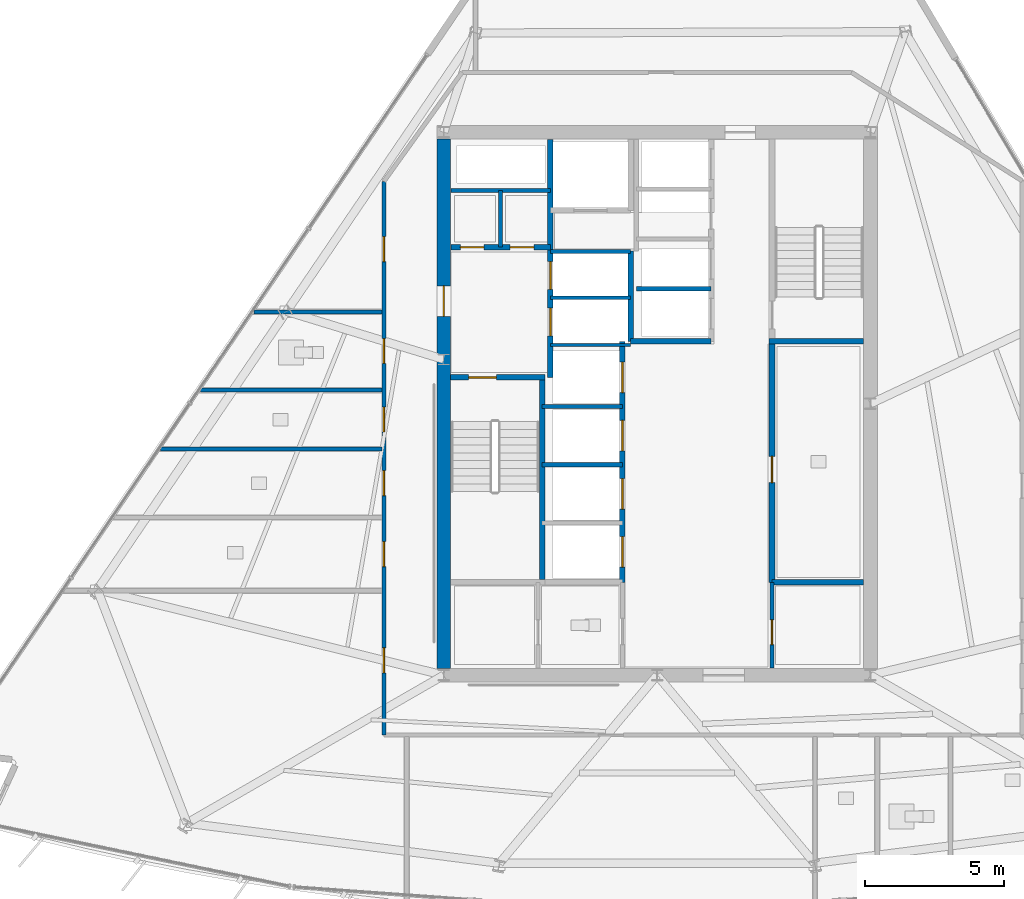
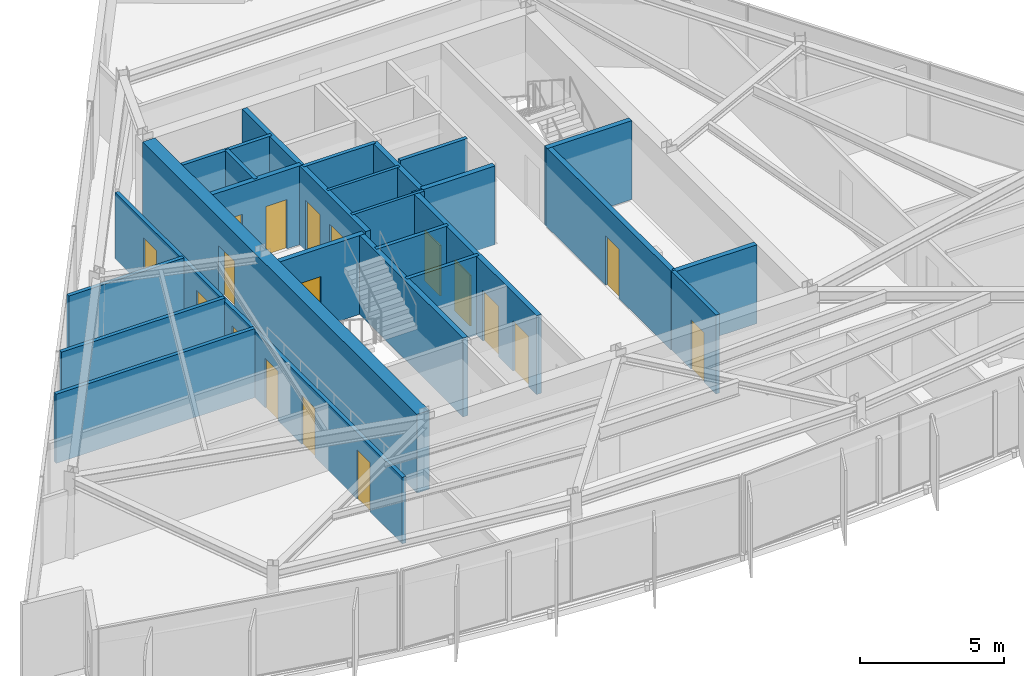
# One storey, part 8 of 15: 24 walls, 18 doors, 18 openings.
"""IFC4 building model written with IfcOpenShell, lengths in metres."""

from ifc_helpers import new_model, si_unit, direction, frame, frame_2d, origin, place, context, subcontext, project, spatial, rectangle, extrude, material, layer, layer_set, type_object, element, fill, save


model = new_model("IFC4")

# Units and contexts
model_context = context("Model", 3, precision=1e-05, world=origin(), true_north=direction((0.0, 1.0)))
body_context = subcontext(model_context, "Body", "Model", "MODEL_VIEW")
ifc_project = project(units=[si_unit("LENGTHUNIT", "METRE"), si_unit("AREAUNIT", "SQUARE_METRE"), si_unit("VOLUMEUNIT", "CUBIC_METRE"), si_unit("PLANEANGLEUNIT", "RADIAN"), si_unit("MASSUNIT", "GRAM", prefix="KILO")], contexts=[model_context])

# Site, building, storey
site_placement = place(None, origin())
site = spatial("IfcSite", under=ifc_project, at=site_placement, CompositionType="ELEMENT")
building_placement = place(site_placement, origin())
building = spatial("IfcBuilding", under=site, at=building_placement, Name="Savorim Split Tower", CompositionType="ELEMENT")
storey_placement = place(building_placement, frame((0.0, 0.0, 194.699951171875)))
storey = spatial("IfcBuildingStorey", under=building, at=storey_placement, Name="L51", CompositionType="ELEMENT", Elevation=194.699951171875)

# Wall, opening, door
ifc_material_1 = material(Name="Concrete C60/75", Category="concrete")
ifc_layer_1 = layer(ifc_material_1, 0.5)
ifc_layer_set_1 = layer_set([ifc_layer_1], Name="WAL-COR-SH500")
wall_type_1 = type_object("IfcWallType", Name="WAL-COR-SH500", PredefinedType="SHEAR", material=ifc_layer_set_1)
wall_1_placement = place(storey_placement, frame((-7.699951171875, -9.14990234375, 0.0), z_axis=(0.0, 0.0, 1.0), x_axis=(0.0, 1.0, 0.0)))
wall_1 = element("IfcWall", 1, at=wall_1_placement, inside=storey, type_object=wall_type_1, Name="L51 Offset Core West Shear Wall", PredefinedType="SHEAR", context=body_context, shape_type="SweptSolid", body=[
    extrude(rectangle(XDim=19.099853515625, YDim=0.5, at=frame_2d((9.5498046875, 0.0))), origin(), (0.0, 0.0, 1.0), 3.35009765625),
])
opening_1_placement = place(wall_1_placement, frame((12.699951171875, 0.0, 0.0)))
opening_1 = element("IfcOpeningElement", 2, at=opening_1_placement, cuts=wall_1, Name="Opening DI-03", PredefinedType="OPENING", context=body_context, shape_type="SweptSolid", body=[
    extrude(rectangle(XDim=1.10009765625, YDim=2.14990234375, at=frame_2d((0.550048828125, 1.074951171875))), frame((0.0, 0.260009765625, 0.0), z_axis=(0.0, -1.0, 0.0), x_axis=(1.0, 0.0, 0.0)), (0.0, 0.0, 1.0), 0.52001953125),
])
ifc_material_2 = material(Name="Timber Fire Door Leaf", Category="wood")
door_type_1 = type_object("IfcDoorType", Name="DOR-FIR-1100", OperationType="NOTDEFINED", PredefinedType="DOOR", material=ifc_material_2)
door_1_placement = place(opening_1_placement, origin())
door_1 = element("IfcDoor", 3, at=door_1_placement, inside=storey, type_object=door_type_1, Name="DOR-L51-COR-FFLOB - L51 Firefighting Lobby Corridor Door", OperationType="SINGLE_SWING_LEFT", OverallHeight=2.14990234375, OverallWidth=1.10009765625, PredefinedType="DOOR", context=body_context, shape_type="SweptSolid", body=[
    extrude(rectangle(XDim=1.10009765625, YDim=2.14990234375, at=frame_2d((0.550048828125, 1.074951171875))), frame((0.0, 0.02490234375, 0.0), z_axis=(0.0, -1.0, 0.0), x_axis=(1.0, 0.0, 0.0)), (0.0, 0.0, 1.0), 0.050048828125),
])
fill(opening_1, door_1)

ifc_material_3 = material(Name="Concrete C50/60", Category="concrete")
ifc_layer_2 = layer(ifc_material_3, 0.199951171875)
ifc_layer_set_2 = layer_set([ifc_layer_2], Name="WAL-INT-RC200")
wall_type_2 = type_object("IfcWallType", Name="WAL-INT-RC200", PredefinedType="SOLIDWALL", material=ifc_layer_set_2)
wall_2_placement = place(storey_placement, frame((-7.449951171875, 1.35009765625, 0.0), z_axis=(0.0, 0.0, 1.0), x_axis=(1.0, 0.0, 0.0)))
wall_2 = element("IfcWall", 4, at=wall_2_placement, inside=storey, type_object=wall_type_2, Name="L51 Structural Shaft Wall W-L51-CR01", PredefinedType="SOLIDWALL", context=body_context, shape_type="SweptSolid", body=[
    extrude(rectangle(XDim=3.39990234375, YDim=0.199951171875, at=frame_2d((1.699951171875, 0.0))), origin(), (0.0, 0.0, 1.0), 3.35009765625),
])
opening_2_placement = place(wall_2_placement, frame((0.64990234375, 0.0, 0.0)))
opening_2 = element("IfcOpeningElement", 5, at=opening_2_placement, cuts=wall_2, Name="Opening DI-04", PredefinedType="OPENING", context=body_context, shape_type="SweptSolid", body=[
    extrude(rectangle(XDim=1.0, YDim=2.14990234375, at=frame_2d((0.5, 1.074951171875))), frame((0.0, 0.10986328125, 0.0), z_axis=(0.0, -1.0, 0.0), x_axis=(1.0, 0.0, 0.0)), (0.0, 0.0, 1.0), 0.219970703125),
])
door_type_2 = type_object("IfcDoorType", Name="DOR-FIR-1000", OperationType="NOTDEFINED", PredefinedType="DOOR", material=ifc_material_2)
door_2_placement = place(opening_2_placement, origin())
door_2 = element("IfcDoor", 6, at=door_2_placement, inside=storey, type_object=door_type_2, Name="DR-L51-ST1 - L51 Stair ST-1 Enclosure Door", OperationType="SINGLE_SWING_LEFT", OverallHeight=2.14990234375, OverallWidth=1.0, PredefinedType="DOOR", context=body_context, shape_type="SweptSolid", body=[
    extrude(rectangle(XDim=1.0, YDim=2.14990234375, at=frame_2d((0.5, 1.074951171875))), frame((0.0, 0.02490234375, 0.0), z_axis=(0.0, -1.0, 0.0), x_axis=(1.0, 0.0, 0.0)), (0.0, 0.0, 1.0), 0.050048828125),
])
fill(opening_2, door_2)

# Wall
wall_3_placement = place(storey_placement, frame((-4.14990234375, -5.949951171875, 0.0), z_axis=(0.0, 0.0, 1.0), x_axis=(0.0, 1.0, 0.0)))
element("IfcWall", 7, at=wall_3_placement, inside=storey, type_object=wall_type_2, Name="L51 Structural Shaft Wall W-L51-CR02", PredefinedType="SOLIDWALL", context=body_context, shape_type="SweptSolid", body=[
    extrude(rectangle(XDim=7.199951171875, YDim=0.199951171875, at=frame_2d((3.60009765625, 0.0))), origin(), (0.0, 0.0, 1.0), 3.35009765625),
])

# Wall, openings, doors
wall_4_placement = place(storey_placement, frame((-3.85009765625, 1.35009765625, 0.0), z_axis=(0.0, 0.0, 1.0), x_axis=(0.0, 1.0, 0.0)))
wall_4 = element("IfcWall", 8, at=wall_4_placement, inside=storey, type_object=wall_type_2, Name="L51 Partition W-L51-CR03", PredefinedType="SOLIDWALL", context=body_context, shape_type="SweptSolid", body=[
    extrude(rectangle(XDim=8.594970703125, YDim=0.199951171875, at=frame_2d((4.29736328125, 0.0))), origin(), (0.0, 0.0, 1.0), 3.35009765625),
])
opening_3_placement = place(wall_4_placement, frame((1.5, 0.0, 0.0)))
opening_3 = element("IfcOpeningElement", 9, at=opening_3_placement, cuts=wall_4, Name="Opening LD-FFL", PredefinedType="OPENING", context=body_context, shape_type="SweptSolid", body=[
    extrude(rectangle(XDim=1.0, YDim=2.14990234375, at=frame_2d((0.5, 1.074951171875))), frame((0.0, 0.10986328125, 0.0), z_axis=(0.0, -1.0, 0.0), x_axis=(1.0, 0.0, 0.0)), (0.0, 0.0, 1.0), 0.219970703125),
])
opening_4_placement = place(wall_4_placement, frame((3.179931640625, 0.0, 0.0)))
opening_4 = element("IfcOpeningElement", 10, at=opening_4_placement, cuts=wall_4, Name="Opening LD-FFL", PredefinedType="OPENING", context=body_context, shape_type="SweptSolid", body=[
    extrude(rectangle(XDim=1.0, YDim=2.14990234375, at=frame_2d((0.5, 1.074951171875))), frame((0.0, 0.10986328125, 0.0), z_axis=(0.0, -1.0, 0.0), x_axis=(1.0, 0.0, 0.0)), (0.0, 0.0, 1.0), 0.219970703125),
])
ifc_material_4 = material(Name="Charcoal Anodised Aluminium", Category="aluminium")
door_type_3 = type_object("IfcDoorType", Name="DOR-SLD-LD1000", OperationType="NOTDEFINED", PredefinedType="DOOR", material=ifc_material_4)
door_3_placement = place(opening_3_placement, origin())
door_3 = element("IfcDoor", 11, at=door_3_placement, inside=storey, type_object=door_type_3, Name="DR-L51-LD-FFL1 - L51 Firefighting Lift FFL-1 Sliding Landing Door", OperationType="DOUBLE_DOOR_SLIDING", OverallHeight=2.14990234375, OverallWidth=1.0, PredefinedType="DOOR", context=body_context, shape_type="SweptSolid", body=[
    extrude(rectangle(XDim=1.0, YDim=2.14990234375, at=frame_2d((0.5, 1.074951171875))), frame((0.0, 0.02490234375, 0.0), z_axis=(0.0, -1.0, 0.0), x_axis=(1.0, 0.0, 0.0)), (0.0, 0.0, 1.0), 0.050048828125),
])
fill(opening_3, door_3)
door_4_placement = place(opening_4_placement, origin())
door_4 = element("IfcDoor", 12, at=door_4_placement, inside=storey, type_object=door_type_3, Name="DR-L51-LD-FFL2 - L51 Firefighting Lift FFL-2 Sliding Landing Door", OperationType="DOUBLE_DOOR_SLIDING", OverallHeight=2.14990234375, OverallWidth=1.0, PredefinedType="DOOR", context=body_context, shape_type="SweptSolid", body=[
    extrude(rectangle(XDim=1.0, YDim=2.14990234375, at=frame_2d((0.5, 1.074951171875))), frame((0.0, 0.02490234375, 0.0), z_axis=(0.0, -1.0, 0.0), x_axis=(1.0, 0.0, 0.0)), (0.0, 0.0, 1.0), 0.050048828125),
])
fill(opening_4, door_4)

wall_5_placement = place(storey_placement, frame((-7.445068359375, 6.050048828125, 0.0), z_axis=(0.0, 0.0, 1.0), x_axis=(1.0, 0.0, 0.0)))
wall_5 = element("IfcWall", 13, at=wall_5_placement, inside=storey, type_object=wall_type_2, Name="L51 Partition W-L51-CR04", PredefinedType="SOLIDWALL", context=body_context, shape_type="SweptSolid", body=[
    extrude(rectangle(XDim=3.594970703125, YDim=0.199951171875, at=frame_2d((1.79736328125, 0.0))), origin(), (0.0, 0.0, 1.0), 3.35009765625),
])
opening_5_placement = place(wall_5_placement, frame((0.344970703125, 0.0, 0.0)))
opening_5 = element("IfcOpeningElement", 14, at=opening_5_placement, cuts=wall_5, Name="Opening DI-12", PredefinedType="OPENING", context=body_context, shape_type="SweptSolid", body=[
    extrude(rectangle(XDim=0.85009765625, YDim=2.10009765625, at=frame_2d((0.425048828125, 1.050048828125))), frame((0.0, 0.10986328125, 0.0), z_axis=(0.0, -1.0, 0.0), x_axis=(1.0, 0.0, 0.0)), (0.0, 0.0, 1.0), 0.219970703125),
])
opening_6_placement = place(wall_5_placement, frame((2.14501953125, 0.0, 0.0)))
opening_6 = element("IfcOpeningElement", 15, at=opening_6_placement, cuts=wall_5, Name="Opening DI-12", PredefinedType="OPENING", context=body_context, shape_type="SweptSolid", body=[
    extrude(rectangle(XDim=0.85009765625, YDim=2.10009765625, at=frame_2d((0.425048828125, 1.050048828125))), frame((0.0, 0.10986328125, 0.0), z_axis=(0.0, -1.0, 0.0), x_axis=(1.0, 0.0, 0.0)), (0.0, 0.0, 1.0), 0.219970703125),
])
ifc_material_5 = material(Name="Galvanised Painted Steel Balustrade", Category="steel")
door_type_4 = type_object("IfcDoorType", Name="DOR-RIS-850", OperationType="NOTDEFINED", PredefinedType="DOOR", material=ifc_material_5)
door_5_placement = place(opening_5_placement, origin())
door_5 = element("IfcDoor", 16, at=door_5_placement, inside=storey, type_object=door_type_4, Name="DR-L51-ELR - L51 Electrical Riser Access Door", OperationType="SINGLE_SWING_RIGHT", OverallHeight=2.10009765625, OverallWidth=0.85009765625, PredefinedType="DOOR", context=body_context, shape_type="SweptSolid", body=[
    extrude(rectangle(XDim=0.85009765625, YDim=2.10009765625, at=frame_2d((0.425048828125, 1.050048828125))), frame((0.0, 0.02490234375, 0.0), z_axis=(0.0, -1.0, 0.0), x_axis=(1.0, 0.0, 0.0)), (0.0, 0.0, 1.0), 0.050048828125),
])
fill(opening_5, door_5)
door_6_placement = place(opening_6_placement, origin())
door_6 = element("IfcDoor", 17, at=door_6_placement, inside=storey, type_object=door_type_4, Name="DR-L51-TLR - L51 Telecom Riser Access Door", OperationType="SINGLE_SWING_LEFT", OverallHeight=2.10009765625, OverallWidth=0.85009765625, PredefinedType="DOOR", context=body_context, shape_type="SweptSolid", body=[
    extrude(rectangle(XDim=0.85009765625, YDim=2.10009765625, at=frame_2d((0.425048828125, 1.050048828125))), frame((0.0, 0.02490234375, 0.0), z_axis=(0.0, -1.0, 0.0), x_axis=(1.0, 0.0, 0.0)), (0.0, 0.0, 1.0), 0.050048828125),
])
fill(opening_6, door_6)

# Walls
wall_6_placement = place(storey_placement, frame((4.050048828125, 2.64990234375, 0.0), z_axis=(0.0, 0.0, 1.0), x_axis=(1.0, 0.0, 0.0)))
element("IfcWall", 18, at=wall_6_placement, inside=storey, type_object=wall_type_2, Name="L51 Structural Shaft Wall W-L51-CR08", PredefinedType="SOLIDWALL", context=body_context, shape_type="SweptSolid", body=[
    extrude(rectangle(XDim=3.39990234375, YDim=0.199951171875, at=frame_2d((1.699951171875, 0.0))), origin(), (0.0, 0.0, 1.0), 3.35009765625),
])
wall_7_placement = place(storey_placement, frame((-0.949951171875, 2.64990234375, 0.0), z_axis=(0.0, 0.0, 1.0), x_axis=(0.0, 1.0, 0.0)))
element("IfcWall", 19, at=wall_7_placement, inside=storey, type_object=wall_type_2, Name="L51 Partition W-L51-FFLW", PredefinedType="SOLIDWALL", context=body_context, shape_type="SweptSolid", body=[
    extrude(rectangle(XDim=3.27001953125, YDim=0.199951171875, at=frame_2d((1.635009765625, 0.0))), origin(), (0.0, 0.0, 1.0), 3.35009765625),
])

# Wall, opening, door
wall_8_placement = place(storey_placement, frame((4.14990234375, -6.050048828125, 0.0), z_axis=(0.0, 0.0, 1.0), x_axis=(0.0, 1.0, 0.0)))
wall_8 = element("IfcWall", 20, at=wall_8_placement, inside=storey, type_object=wall_type_2, Name="L51 Partition W-L51-B1FRONT", PredefinedType="SOLIDWALL", context=body_context, shape_type="SweptSolid", body=[
    extrude(rectangle(XDim=8.699951171875, YDim=0.199951171875, at=frame_2d((4.35009765625, 0.0))), origin(), (0.0, 0.0, 1.0), 3.35009765625),
])
opening_7_placement = place(wall_8_placement, frame((3.60009765625, 0.0, 0.0)))
opening_7 = element("IfcOpeningElement", 21, at=opening_7_placement, cuts=wall_8, Name="Opening DI-05", PredefinedType="OPENING", context=body_context, shape_type="SweptSolid", body=[
    extrude(rectangle(XDim=0.949951171875, YDim=2.10009765625, at=frame_2d((0.47509765625, 1.050048828125))), frame((0.0, 0.10986328125, 0.0), z_axis=(0.0, -1.0, 0.0), x_axis=(1.0, 0.0, 0.0)), (0.0, 0.0, 1.0), 0.219970703125),
])
door_type_5 = type_object("IfcDoorType", Name="DOR-FIR-950", OperationType="NOTDEFINED", PredefinedType="DOOR", material=ifc_material_2)
door_7_placement = place(opening_7_placement, origin())
door_7 = element("IfcDoor", 22, at=door_7_placement, inside=storey, type_object=door_type_5, Name="DR-L51-LV7B1 - L51 Community Laundry Room Door", OperationType="SINGLE_SWING_RIGHT", OverallHeight=2.10009765625, OverallWidth=0.949951171875, PredefinedType="DOOR", context=body_context, shape_type="SweptSolid", body=[
    extrude(rectangle(XDim=0.949951171875, YDim=2.10009765625, at=frame_2d((0.47509765625, 1.050048828125))), frame((0.0, 0.02490234375, 0.0), z_axis=(0.0, -1.0, 0.0), x_axis=(1.0, 0.0, 0.0)), (0.0, 0.0, 1.0), 0.050048828125),
])
fill(opening_7, door_7)

# Wall, openings, doors
wall_9_placement = place(storey_placement, frame((-1.25, -6.050048828125, 0.0), z_axis=(0.0, 0.0, 1.0), x_axis=(0.0, 1.0, 0.0)))
wall_9 = element("IfcWall", 23, at=wall_9_placement, inside=storey, type_object=wall_type_2, Name="L51 Partition W-L51-B2FRONT", PredefinedType="SOLIDWALL", context=body_context, shape_type="SweptSolid", body=[
    extrude(rectangle(XDim=8.699951171875, YDim=0.199951171875, at=frame_2d((4.35009765625, 0.0))), origin(), (0.0, 0.0, 1.0), 3.35009765625),
])
opening_8_placement = place(wall_9_placement, frame((0.550048828125, 0.0, 0.0)))
opening_8 = element("IfcOpeningElement", 24, at=opening_8_placement, cuts=wall_9, Name="Opening LD-02", PredefinedType="OPENING", context=body_context, shape_type="SweptSolid", body=[
    extrude(rectangle(XDim=1.10009765625, YDim=2.14990234375, at=frame_2d((0.550048828125, 1.074951171875))), frame((0.0, 0.10986328125, 0.0), z_axis=(0.0, -1.0, 0.0), x_axis=(1.0, 0.0, 0.0)), (0.0, 0.0, 1.0), 0.219970703125),
])
opening_9_placement = place(wall_9_placement, frame((2.64990234375, 0.0, 0.0)))
opening_9 = element("IfcOpeningElement", 25, at=opening_9_placement, cuts=wall_9, Name="Opening LD-02", PredefinedType="OPENING", context=body_context, shape_type="SweptSolid", body=[
    extrude(rectangle(XDim=1.10009765625, YDim=2.14990234375, at=frame_2d((0.550048828125, 1.074951171875))), frame((0.0, 0.10986328125, 0.0), z_axis=(0.0, -1.0, 0.0), x_axis=(1.0, 0.0, 0.0)), (0.0, 0.0, 1.0), 0.219970703125),
])
opening_10_placement = place(wall_9_placement, frame((4.75, 0.0, 0.0)))
opening_10 = element("IfcOpeningElement", 26, at=opening_10_placement, cuts=wall_9, Name="Opening LD-02", PredefinedType="OPENING", context=body_context, shape_type="SweptSolid", body=[
    extrude(rectangle(XDim=1.10009765625, YDim=2.14990234375, at=frame_2d((0.550048828125, 1.074951171875))), frame((0.0, 0.10986328125, 0.0), z_axis=(0.0, -1.0, 0.0), x_axis=(1.0, 0.0, 0.0)), (0.0, 0.0, 1.0), 0.219970703125),
])
opening_11_placement = place(wall_9_placement, frame((6.85009765625, 0.0, 0.0)))
opening_11 = element("IfcOpeningElement", 27, at=opening_11_placement, cuts=wall_9, Name="Opening LD-02", PredefinedType="OPENING", context=body_context, shape_type="SweptSolid", body=[
    extrude(rectangle(XDim=1.10009765625, YDim=2.14990234375, at=frame_2d((0.550048828125, 1.074951171875))), frame((0.0, 0.10986328125, 0.0), z_axis=(0.0, -1.0, 0.0), x_axis=(1.0, 0.0, 0.0)), (0.0, 0.0, 1.0), 0.219970703125),
])
door_type_6 = type_object("IfcDoorType", Name="DOR-SLD-LDM1100", OperationType="NOTDEFINED", PredefinedType="DOOR", material=ifc_material_4)
door_8_placement = place(opening_8_placement, origin())
door_8 = element("IfcDoor", 28, at=door_8_placement, inside=storey, type_object=door_type_6, Name="DR-L51-LD-PLM1 - L51 Lift PL-M1 Sliding Landing Door", OperationType="DOUBLE_DOOR_SLIDING", OverallHeight=2.14990234375, OverallWidth=1.10009765625, PredefinedType="DOOR", context=body_context, shape_type="SweptSolid", body=[
    extrude(rectangle(XDim=1.10009765625, YDim=2.14990234375, at=frame_2d((0.550048828125, 1.074951171875))), frame((0.0, 0.02490234375, 0.0), z_axis=(0.0, -1.0, 0.0), x_axis=(1.0, 0.0, 0.0)), (0.0, 0.0, 1.0), 0.050048828125),
])
fill(opening_8, door_8)
door_9_placement = place(opening_9_placement, origin())
door_9 = element("IfcDoor", 29, at=door_9_placement, inside=storey, type_object=door_type_6, Name="DR-L51-LD-PLM2 - L51 Lift PL-M2 Sliding Landing Door", OperationType="DOUBLE_DOOR_SLIDING", OverallHeight=2.14990234375, OverallWidth=1.10009765625, PredefinedType="DOOR", context=body_context, shape_type="SweptSolid", body=[
    extrude(rectangle(XDim=1.10009765625, YDim=2.14990234375, at=frame_2d((0.550048828125, 1.074951171875))), frame((0.0, 0.02490234375, 0.0), z_axis=(0.0, -1.0, 0.0), x_axis=(1.0, 0.0, 0.0)), (0.0, 0.0, 1.0), 0.050048828125),
])
fill(opening_9, door_9)
door_10_placement = place(opening_10_placement, origin())
door_10 = element("IfcDoor", 30, at=door_10_placement, inside=storey, type_object=door_type_6, Name="DR-L51-LD-PLM3 - L51 Lift PL-M3 Sliding Landing Door", OperationType="DOUBLE_DOOR_SLIDING", OverallHeight=2.14990234375, OverallWidth=1.10009765625, PredefinedType="DOOR", context=body_context, shape_type="SweptSolid", body=[
    extrude(rectangle(XDim=1.10009765625, YDim=2.14990234375, at=frame_2d((0.550048828125, 1.074951171875))), frame((0.0, 0.02490234375, 0.0), z_axis=(0.0, -1.0, 0.0), x_axis=(1.0, 0.0, 0.0)), (0.0, 0.0, 1.0), 0.050048828125),
])
fill(opening_10, door_10)
door_11_placement = place(opening_11_placement, origin())
door_11 = element("IfcDoor", 31, at=door_11_placement, inside=storey, type_object=door_type_6, Name="DR-L51-LD-PLM4 - L51 Lift PL-M4 Sliding Landing Door", OperationType="DOUBLE_DOOR_SLIDING", OverallHeight=2.14990234375, OverallWidth=1.10009765625, PredefinedType="DOOR", context=body_context, shape_type="SweptSolid", body=[
    extrude(rectangle(XDim=1.10009765625, YDim=2.14990234375, at=frame_2d((0.550048828125, 1.074951171875))), frame((0.0, 0.02490234375, 0.0), z_axis=(0.0, -1.0, 0.0), x_axis=(1.0, 0.0, 0.0)), (0.0, 0.0, 1.0), 0.050048828125),
])
fill(opening_11, door_11)

# Walls
wall_10_placement = place(storey_placement, frame((-0.949951171875, 2.64990234375, 0.0), z_axis=(0.0, 0.0, 1.0), x_axis=(1.0, 0.0, 0.0)))
element("IfcWall", 32, at=wall_10_placement, inside=storey, type_object=wall_type_2, Name="L51 Partition W-L51-B3SOUTH", PredefinedType="SOLIDWALL", context=body_context, shape_type="SweptSolid", body=[
    extrude(rectangle(XDim=2.89990234375, YDim=0.199951171875, at=frame_2d((1.449951171875, 0.0))), origin(), (0.0, 0.0, 1.0), 3.35009765625),
])
wall_11_placement = place(storey_placement, frame((4.14990234375, -6.050048828125, 0.0), z_axis=(0.0, 0.0, 1.0), x_axis=(1.0, 0.0, 0.0)))
element("IfcWall", 33, at=wall_11_placement, inside=storey, type_object=wall_type_2, Name="L51 Partition W-L51-KSEP-E", PredefinedType="SOLIDWALL", context=body_context, shape_type="SweptSolid", body=[
    extrude(rectangle(XDim=3.295166015625, YDim=0.199951171875, at=frame_2d((1.6474609375, 0.0))), origin(), (0.0, 0.0, 1.0), 3.35009765625),
])
ifc_material_6 = material(Name="Acoustic Gypsum Partition Board")
ifc_layer_3 = layer(ifc_material_6, 0.1201171875)
ifc_layer_set_3 = layer_set([ifc_layer_3], Name="WAL-PAR-120")
wall_type_3 = type_object("IfcWallType", Name="WAL-PAR-120", PredefinedType="PARTITIONING", material=ifc_layer_set_3)
for number, where, z_axis, x_axis, name in (
    (34, (-3.85009765625, 2.52001953125, 0.0), (0.0, 0.0, 1.0), (1.0, 0.0, 0.0), "L51 Partition W-L51-FFLD0"),
    (35, (-3.85009765625, 4.219970703125, 0.0), (0.0, 0.0, 1.0), (1.0, 0.0, 0.0), "L51 Partition W-L51-FFLD1"),
):
    element("IfcWall", number, at=place(storey_placement, frame(where, z_axis=z_axis, x_axis=x_axis)), inside=storey, type_object=wall_type_3, Name=name, PredefinedType="PARTITIONING", context=body_context, shape_type="SweptSolid", body=[
        extrude(rectangle(XDim=2.900146484375, YDim=0.1201171875, at=frame_2d((1.4501953125, 0.0))), origin(), (0.0, 0.0, 1.0), 3.35009765625),
    ])
ifc_layer_4 = layer(ifc_material_6, 0.14990234375)
ifc_layer_set_4 = layer_set([ifc_layer_4], Name="WAL-PAR-150")
wall_type_4 = type_object("IfcWallType", Name="WAL-PAR-150", PredefinedType="PARTITIONING", material=ifc_layer_set_4)
wall_12_placement = place(storey_placement, frame((-7.445068359375, 8.10009765625, 0.0), z_axis=(0.0, 0.0, 1.0), x_axis=(1.0, 0.0, 0.0)))
element("IfcWall", 36, at=wall_12_placement, inside=storey, type_object=wall_type_4, Name="L51 Partition W-L51-CR05", PredefinedType="PARTITIONING", context=body_context, shape_type="SweptSolid", body=[
    extrude(rectangle(XDim=3.594970703125, YDim=0.14990234375, at=frame_2d((1.79736328125, 0.0))), origin(), (0.0, 0.0, 1.0), 3.35009765625),
])
wall_13_placement = place(storey_placement, frame((-5.64990234375, 6.050048828125, 0.0), z_axis=(0.0, 0.0, 1.0), x_axis=(0.0, 1.0, 0.0)))
element("IfcWall", 37, at=wall_13_placement, inside=storey, type_object=wall_type_4, Name="L51 Partition W-L51-CR06", PredefinedType="PARTITIONING", context=body_context, shape_type="SweptSolid", body=[
    extrude(rectangle(XDim=2.050048828125, YDim=0.14990234375, at=frame_2d((1.02490234375, 0.0))), origin(), (0.0, 0.0, 1.0), 3.35009765625),
])
wall_14_placement = place(storey_placement, frame((-3.85009765625, 5.89990234375, 0.0), z_axis=(0.0, 0.0, 1.0), x_axis=(1.0, 0.0, 0.0)))
element("IfcWall", 38, at=wall_14_placement, inside=storey, type_object=wall_type_4, Name="L51 Partition W-L51-FFLD2", PredefinedType="PARTITIONING", context=body_context, shape_type="SweptSolid", body=[
    extrude(rectangle(XDim=2.900146484375, YDim=0.14990234375, at=frame_2d((1.4501953125, 0.0))), origin(), (0.0, 0.0, 1.0), 3.35009765625),
])
for number, where, z_axis, x_axis, name in (
    (39, (-4.14990234375, -1.800048828125, 0.0), (0.0, 0.0, 1.0), (1.0, 0.0, 0.0), "L51 Partition W-L51-B2DIV2"),
    (40, (-4.14990234375, 0.300048828125, 0.0), (0.0, 0.0, 1.0), (1.0, 0.0, 0.0), "L51 Partition W-L51-B2DIV3"),
):
    element("IfcWall", number, at=place(storey_placement, frame(where, z_axis=z_axis, x_axis=x_axis)), inside=storey, type_object=wall_type_4, Name=name, PredefinedType="PARTITIONING", context=body_context, shape_type="SweptSolid", body=[
        extrude(rectangle(XDim=2.89990234375, YDim=0.14990234375, at=frame_2d((1.449951171875, 0.0))), origin(), (0.0, 0.0, 1.0), 3.35009765625),
    ])
wall_15_placement = place(storey_placement, frame((-0.75, 4.550048828125, 0.0), z_axis=(0.0, 0.0, 1.0), x_axis=(1.0, 0.0, 0.0)))
element("IfcWall", 41, at=wall_15_placement, inside=storey, type_object=wall_type_4, Name="L51 Partition W-L51-B3DIV1", PredefinedType="PARTITIONING", context=body_context, shape_type="SweptSolid", body=[
    extrude(rectangle(XDim=2.699951171875, YDim=0.14990234375, at=frame_2d((1.35009765625, 0.0))), origin(), (0.0, 0.0, 1.0), 3.35009765625),
])

# Wall, opening, door
wall_16_placement = place(storey_placement, frame((4.14990234375, -9.14501953125, 0.0), z_axis=(0.0, 0.0, 1.0), x_axis=(0.0, 1.0, 0.0)))
wall_16 = element("IfcWall", 42, at=wall_16_placement, inside=storey, type_object=wall_type_4, Name="L51 Partition W-L51-KLOB-E", PredefinedType="PARTITIONING", context=body_context, shape_type="SweptSolid", body=[
    extrude(rectangle(XDim=3.094970703125, YDim=0.14990234375, at=frame_2d((1.54736328125, 0.0))), origin(), (0.0, 0.0, 1.0), 3.35009765625),
])
opening_12_placement = place(wall_16_placement, frame((0.844970703125, 0.0, 0.0)))
opening_12 = element("IfcOpeningElement", 43, at=opening_12_placement, cuts=wall_16, Name="Opening DI-06", PredefinedType="OPENING", context=body_context, shape_type="SweptSolid", body=[
    extrude(rectangle(XDim=0.89990234375, YDim=2.10009765625, at=frame_2d((0.449951171875, 1.050048828125))), frame((0.0, 0.0849609375, 0.0), z_axis=(0.0, -1.0, 0.0), x_axis=(1.0, 0.0, 0.0)), (0.0, 0.0, 1.0), 0.169921875),
])
door_type_7 = type_object("IfcDoorType", Name="DOR-FIR-900", OperationType="NOTDEFINED", PredefinedType="DOOR", material=ifc_material_2)
door_12_placement = place(opening_12_placement, origin())
door_12 = element("IfcDoor", 44, at=door_12_placement, inside=storey, type_object=door_type_7, Name="DR-L51-K1IT - L51 Core IT Room Door", OperationType="SINGLE_SWING_LEFT", OverallHeight=2.10009765625, OverallWidth=0.89990234375, PredefinedType="DOOR", context=body_context, shape_type="SweptSolid", body=[
    extrude(rectangle(XDim=0.89990234375, YDim=2.10009765625, at=frame_2d((0.449951171875, 1.050048828125))), frame((0.0, 0.02490234375, 0.0), z_axis=(0.0, -1.0, 0.0), x_axis=(1.0, 0.0, 0.0)), (0.0, 0.0, 1.0), 0.050048828125),
])
fill(opening_12, door_12)

# Wall, openings, doors
wall_17_placement = place(storey_placement, frame((-9.860107421875, -11.56005859375, 0.0), z_axis=(0.0, 0.0, 1.0), x_axis=(0.0, 1.0, 0.0)))
wall_17 = element("IfcWall", 45, at=wall_17_placement, inside=storey, type_object=wall_type_4, Name="L51 Partition W-L51-COR-01", PredefinedType="PARTITIONING", context=body_context, shape_type="SweptSolid", body=[
    extrude(rectangle(XDim=19.98583984375, YDim=0.14990234375, at=frame_2d((9.992919921875, 0.0))), origin(), (0.0, 0.0, 1.0), 2.824951171875),
])
opening_13_placement = place(wall_17_placement, frame((10.93994140625, 0.0, 0.0)))
opening_13 = element("IfcOpeningElement", 46, at=opening_13_placement, cuts=wall_17, Name="Opening DI-06", PredefinedType="OPENING", context=body_context, shape_type="SweptSolid", body=[
    extrude(rectangle(XDim=0.89990234375, YDim=2.10009765625, at=frame_2d((0.449951171875, 1.050048828125))), frame((0.0, 0.0849609375, 0.0), z_axis=(0.0, -1.0, 0.0), x_axis=(1.0, 0.0, 0.0)), (0.0, 0.0, 1.0), 0.169921875),
])
opening_14_placement = place(wall_17_placement, frame((8.643310546875, 0.0, 0.0)))
opening_14 = element("IfcOpeningElement", 47, at=opening_14_placement, cuts=wall_17, Name="Opening DI-06", PredefinedType="OPENING", context=body_context, shape_type="SweptSolid", body=[
    extrude(rectangle(XDim=0.89990234375, YDim=2.10009765625, at=frame_2d((0.449951171875, 1.050048828125))), frame((0.0, 0.0849609375, 0.0), z_axis=(0.0, -1.0, 0.0), x_axis=(1.0, 0.0, 0.0)), (0.0, 0.0, 1.0), 0.169921875),
])
opening_15_placement = place(wall_17_placement, frame((6.082275390625, 0.0, 0.0)))
opening_15 = element("IfcOpeningElement", 48, at=opening_15_placement, cuts=wall_17, Name="Opening DI-06", PredefinedType="OPENING", context=body_context, shape_type="SweptSolid", body=[
    extrude(rectangle(XDim=0.89990234375, YDim=2.10009765625, at=frame_2d((0.449951171875, 1.050048828125))), frame((0.0, 0.0849609375, 0.0), z_axis=(0.0, -1.0, 0.0), x_axis=(1.0, 0.0, 0.0)), (0.0, 0.0, 1.0), 0.169921875),
])
opening_16_placement = place(wall_17_placement, frame((2.2431640625, 0.0, 0.0)))
opening_16 = element("IfcOpeningElement", 49, at=opening_16_placement, cuts=wall_17, Name="Opening DI-06", PredefinedType="OPENING", context=body_context, shape_type="SweptSolid", body=[
    extrude(rectangle(XDim=0.89990234375, YDim=2.10009765625, at=frame_2d((0.449951171875, 1.050048828125))), frame((0.0, 0.0849609375, 0.0), z_axis=(0.0, -1.0, 0.0), x_axis=(1.0, 0.0, 0.0)), (0.0, 0.0, 1.0), 0.169921875),
])
opening_17_placement = place(wall_17_placement, frame((17.092041015625, 0.0, 0.0)))
opening_17 = element("IfcOpeningElement", 50, at=opening_17_placement, cuts=wall_17, Name="Opening DI-06", PredefinedType="OPENING", context=body_context, shape_type="SweptSolid", body=[
    extrude(rectangle(XDim=0.89990234375, YDim=2.10009765625, at=frame_2d((0.449951171875, 1.050048828125))), frame((0.0, 0.0849609375, 0.0), z_axis=(0.0, -1.0, 0.0), x_axis=(1.0, 0.0, 0.0)), (0.0, 0.0, 1.0), 0.169921875),
])
opening_18_placement = place(wall_17_placement, frame((13.413330078125, 0.0, 0.0)))
opening_18 = element("IfcOpeningElement", 51, at=opening_18_placement, cuts=wall_17, Name="Opening DI-11", PredefinedType="OPENING", context=body_context, shape_type="SweptSolid", body=[
    extrude(rectangle(XDim=0.89990234375, YDim=2.10009765625, at=frame_2d((0.449951171875, 1.050048828125))), frame((0.0, 0.0849609375, 0.0), z_axis=(0.0, -1.0, 0.0), x_axis=(1.0, 0.0, 0.0)), (0.0, 0.0, 1.0), 0.169921875),
])
door_13_placement = place(opening_13_placement, origin())
door_13 = element("IfcDoor", 52, at=door_13_placement, inside=storey, type_object=door_type_7, Name="DR-L51-RM01 - L51 Shared Kitchen Entry Door", OperationType="SINGLE_SWING_RIGHT", OverallHeight=2.10009765625, OverallWidth=0.89990234375, PredefinedType="DOOR", context=body_context, shape_type="SweptSolid", body=[
    extrude(rectangle(XDim=0.89990234375, YDim=2.10009765625, at=frame_2d((0.449951171875, 1.050048828125))), frame((0.0, 0.02490234375, 0.0), z_axis=(0.0, -1.0, 0.0), x_axis=(1.0, 0.0, 0.0)), (0.0, 0.0, 1.0), 0.050048828125),
])
fill(opening_13, door_13)
door_14_placement = place(opening_14_placement, origin())
door_14 = element("IfcDoor", 53, at=door_14_placement, inside=storey, type_object=door_type_7, Name="DR-L51-RM02 - L51 Community Laundry Room Entry Door", OperationType="SINGLE_SWING_LEFT", OverallHeight=2.10009765625, OverallWidth=0.89990234375, PredefinedType="DOOR", context=body_context, shape_type="SweptSolid", body=[
    extrude(rectangle(XDim=0.89990234375, YDim=2.10009765625, at=frame_2d((0.449951171875, 1.050048828125))), frame((0.0, 0.02490234375, 0.0), z_axis=(0.0, -1.0, 0.0), x_axis=(1.0, 0.0, 0.0)), (0.0, 0.0, 1.0), 0.050048828125),
])
fill(opening_14, door_14)
door_15_placement = place(opening_15_placement, origin())
door_15 = element("IfcDoor", 54, at=door_15_placement, inside=storey, type_object=door_type_7, Name="DR-L51-RM03 - L51 Shared Kitchen Entry Door", OperationType="SINGLE_SWING_RIGHT", OverallHeight=2.10009765625, OverallWidth=0.89990234375, PredefinedType="DOOR", context=body_context, shape_type="SweptSolid", body=[
    extrude(rectangle(XDim=0.89990234375, YDim=2.10009765625, at=frame_2d((0.449951171875, 1.050048828125))), frame((0.0, 0.02490234375, 0.0), z_axis=(0.0, -1.0, 0.0), x_axis=(1.0, 0.0, 0.0)), (0.0, 0.0, 1.0), 0.050048828125),
])
fill(opening_15, door_15)
door_16_placement = place(opening_16_placement, origin())
door_16 = element("IfcDoor", 55, at=door_16_placement, inside=storey, type_object=door_type_7, Name="DR-L51-RM04 - L51 Maker Workshop Entry Door", OperationType="SINGLE_SWING_LEFT", OverallHeight=2.10009765625, OverallWidth=0.89990234375, PredefinedType="DOOR", context=body_context, shape_type="SweptSolid", body=[
    extrude(rectangle(XDim=0.89990234375, YDim=2.10009765625, at=frame_2d((0.449951171875, 1.050048828125))), frame((0.0, 0.02490234375, 0.0), z_axis=(0.0, -1.0, 0.0), x_axis=(1.0, 0.0, 0.0)), (0.0, 0.0, 1.0), 0.050048828125),
])
fill(opening_16, door_16)
door_17_placement = place(opening_17_placement, origin())
door_17 = element("IfcDoor", 56, at=door_17_placement, inside=storey, type_object=door_type_7, Name="DR-L51-RM14 - L51 Co-Living Bedroom Entry Door", OperationType="SINGLE_SWING_LEFT", OverallHeight=2.10009765625, OverallWidth=0.89990234375, PredefinedType="DOOR", context=body_context, shape_type="SweptSolid", body=[
    extrude(rectangle(XDim=0.89990234375, YDim=2.10009765625, at=frame_2d((0.449951171875, 1.050048828125))), frame((0.0, 0.02490234375, 0.0), z_axis=(0.0, -1.0, 0.0), x_axis=(1.0, 0.0, 0.0)), (0.0, 0.0, 1.0), 0.050048828125),
])
fill(opening_17, door_17)
ifc_material_7 = material(Name="Oak Veneer Acoustic Door")
door_type_8 = type_object("IfcDoorType", Name="DOR-WC-900", OperationType="NOTDEFINED", PredefinedType="DOOR", material=ifc_material_7)
door_18_placement = place(opening_18_placement, origin())
door_18 = element("IfcDoor", 57, at=door_18_placement, inside=storey, type_object=door_type_8, Name="DR-L51-RM15 - L51 Shared Bathroom Entry Door", OperationType="SINGLE_SWING_RIGHT", OverallHeight=2.10009765625, OverallWidth=0.89990234375, PredefinedType="DOOR", context=body_context, shape_type="SweptSolid", body=[
    extrude(rectangle(XDim=0.89990234375, YDim=2.10009765625, at=frame_2d((0.449951171875, 1.050048828125))), frame((0.0, 0.02490234375, 0.0), z_axis=(0.0, -1.0, 0.0), x_axis=(1.0, 0.0, 0.0)), (0.0, 0.0, 1.0), 0.050048828125),
])
fill(opening_18, door_18)

# Walls
wall_18_placement = place(storey_placement, frame((-9.919921875, 3.716552734375, 0.0), z_axis=(0.0, 0.0, 1.0), x_axis=(-1.0, 0.0, 0.0)))
element("IfcWall", 58, at=wall_18_placement, inside=storey, type_object=wall_type_4, Name="L51 Partition W-L51-PRAD09", PredefinedType="PARTITIONING", context=body_context, shape_type="SweptSolid", body=[
    extrude(rectangle(XDim=4.636474609375, YDim=0.14990234375, at=frame_2d((2.318359375, 0.0))), origin(), (0.0, 0.0, 1.0), 2.93505859375),
])
wall_19_placement = place(storey_placement, frame((-9.919921875, -1.22998046875, 0.0), z_axis=(0.0, 0.0, 1.0), x_axis=(-1.0, 0.0, 0.0)))
element("IfcWall", 59, at=wall_19_placement, inside=storey, type_object=wall_type_4, Name="L51 Partition W-L51-SUB01", PredefinedType="PARTITIONING", context=body_context, shape_type="SweptSolid", body=[
    extrude(rectangle(XDim=8.00146484375, YDim=0.14990234375, at=frame_2d((4.000732421875, 0.0))), origin(), (0.0, 0.0, 1.0), 2.93505859375),
])
wall_20_placement = place(storey_placement, frame((-9.919921875, 0.889892578125, 0.0), z_axis=(0.0, 0.0, 1.0), x_axis=(-1.0, 0.0, 0.0)))
element("IfcWall", 60, at=wall_20_placement, inside=storey, type_object=wall_type_4, Name="L51 Partition W-L51-SUB09", PredefinedType="PARTITIONING", context=body_context, shape_type="SweptSolid", body=[
    extrude(rectangle(XDim=6.55908203125, YDim=0.14990234375, at=frame_2d((3.279541015625, 0.0))), origin(), (0.0, 0.0, 1.0), 2.93505859375),
])

save(model, "model.ifc")
